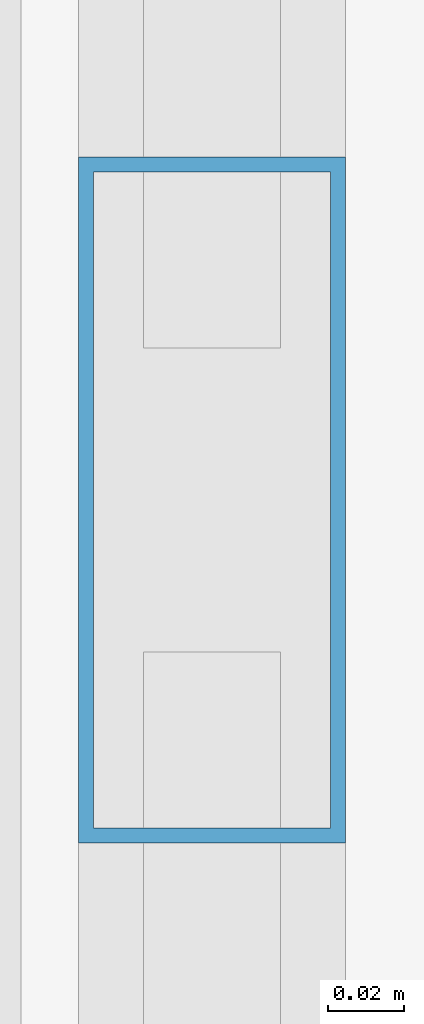
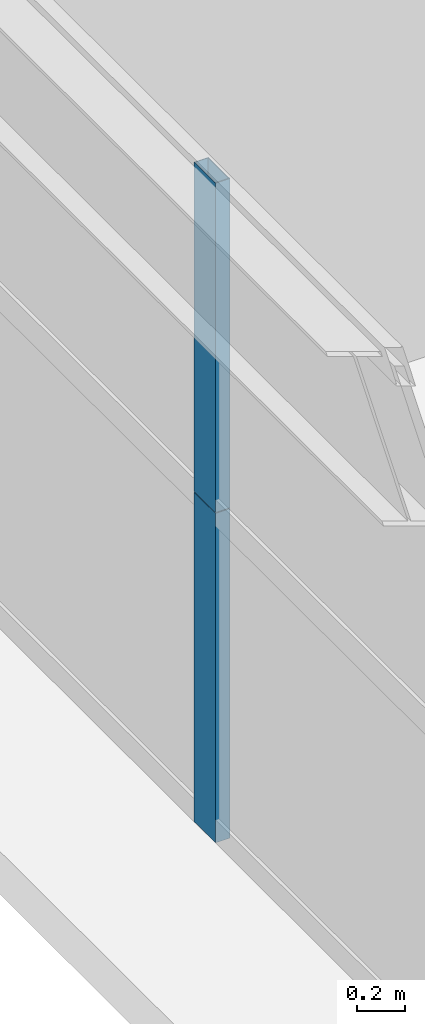
# One storey, part 11 of 43: 2 members, 1 element without a shape of its own.
"""IFC4 building model written with IfcOpenShell, lengths in metres."""

from ifc_helpers import new_model, si_unit, direction, frame, origin, origin_2d, place, context, subcontext, project, spatial, hollow_rectangle, extrude, source, transform, mapped, material, layer, layer_set, material_profile, profile_set, type_object, element, aggregate, save


model = new_model("IFC4")

# Units and contexts
model_context = context("Model", 3, precision=1e-05, world=origin(), true_north=direction((0.0, 1.0)))
body_context = subcontext(model_context, "Body", "Model", "MODEL_VIEW")
ifc_project = project(units=[si_unit("LENGTHUNIT", "METRE"), si_unit("AREAUNIT", "SQUARE_METRE"), si_unit("VOLUMEUNIT", "CUBIC_METRE"), si_unit("PLANEANGLEUNIT", "RADIAN"), si_unit("MASSUNIT", "GRAM", prefix="KILO"), si_unit("THERMODYNAMICTEMPERATUREUNIT", "KELVIN"), si_unit("POWERUNIT", "WATT")], contexts=[model_context])

# Site, building, storey
site_placement = place(None, origin())
site = spatial("IfcSite", under=ifc_project, at=site_placement, CompositionType="ELEMENT")
building_placement = place(site_placement, origin())
building = spatial("IfcBuilding", under=site, at=building_placement, Name="Yuzanri Waterfront Tower", CompositionType="ELEMENT")
storey_placement = place(building_placement, frame((0.0, 0.0, 78.39990234375)))
storey = spatial("IfcBuildingStorey", under=building, at=storey_placement, Name="L20", CompositionType="ELEMENT", Elevation=78.39990234375)

# Curtain wall, members
ifc_material_1 = material(Name="Anodized Architectural Bronze", Category="metal")
ifc_layer = layer(ifc_material_1, 0.159912109375)
ifc_layer_set = layer_set([ifc_layer], Name="Anodized Architectural Bronze")
curtain_wall_type = type_object("IfcCurtainWallType", Name="Anodized Bronze Hotel Lower-Tier Recessed Unitized Curtain Wall 8100", PredefinedType="NOTDEFINED", material=ifc_layer_set)
curtain_wall_placement = place(storey_placement, origin())
curtain_wall = element("IfcCurtainWall", 1, at=curtain_wall_placement, inside=storey, type_object=curtain_wall_type, Name="L20 Curtain Wall CW-L20-WL", PredefinedType="NOTDEFINED")
ifc_material_2 = material(Name="Anodized Architectural Bronze", Category="metal")
ifc_material_profile = material_profile(ifc_material_2, hollow_rectangle(XDim=0.070068359375, YDim=0.179931640625, WallThickness=0.00390625, at=origin_2d()), Name="CWM 70x180")
ifc_profile_set = profile_set([ifc_material_profile], Name="Anodized Architectural Bronze")
member_type = type_object("IfcMemberType", Name="Anodized Bronze Standard Curtain-Wall Mullion 70x180", PredefinedType="MULLION", material=ifc_profile_set)
shared_shape = source(origin(), body_context, "Body", "SweptSolid", [
    extrude(hollow_rectangle(XDim=0.070068359375, YDim=0.179931640625, WallThickness=0.00390625, at=origin_2d()), origin(), (0.0, 0.0, 1.0), 1.68798828125),
])
member_1_placement = place(storey_placement, frame((12.050048828125, 16.699951171875, 0.0), z_axis=(0.0, 0.0, 1.0), x_axis=(1.0, 0.0, 0.0)))
member_1 = element("IfcMember", 2, at=member_1_placement, type_object=member_type, Name="CW-L20-WL Lower Mullion 01", PredefinedType="MULLION", context=body_context, shape_type="MappedRepresentation", body=[
    mapped(shared_shape, transform((0.0, 0.0, 0.0), scale=1.0)),
])
member_2_placement = place(storey_placement, frame((12.050048828125, 16.699951171875, 1.692138671875), z_axis=(0.0, 0.0, 1.0), x_axis=(1.0, 0.0, 0.0)))
member_2 = element("IfcMember", 3, at=member_2_placement, type_object=member_type, Name="CW-L20-WL Upper Mullion 01", PredefinedType="MULLION", context=body_context, shape_type="MappedRepresentation", body=[
    mapped(shared_shape, transform((0.0, 0.0, 0.0), scale=1.0)),
])
aggregate(curtain_wall, [member_1, member_2])

save(model, "model.ifc")
